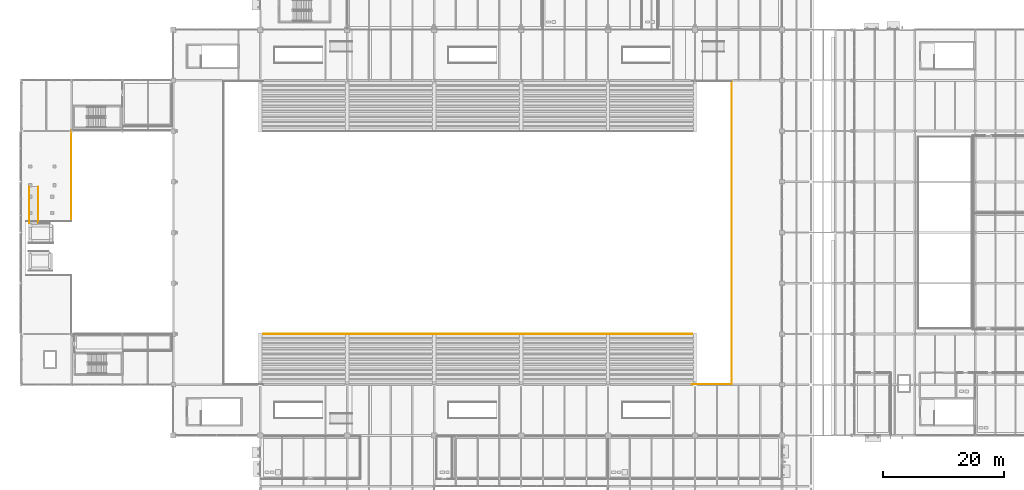
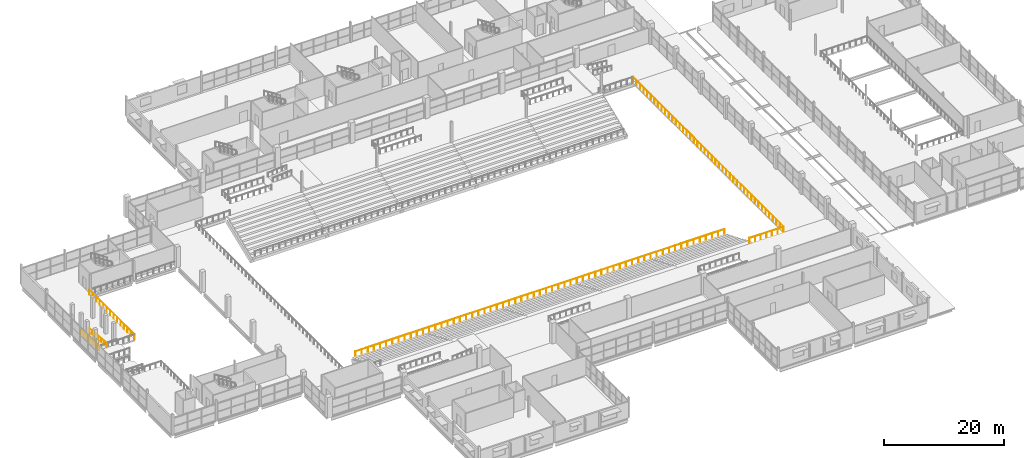
# One storey, part 152 of 161: 6 railings.
"""IFC4 building model written with IfcOpenShell, lengths in metres."""

from ifc_helpers import new_model, si_unit, direction, frame, origin, origin_2d, place, context, subcontext, project, spatial, circle, extrude, material, type_object, element, save


model = new_model("IFC4")

# Units and contexts
model_context = context("Model", 3, precision=1e-05, world=origin(), true_north=direction((0.0, 1.0)))
body_context = subcontext(model_context, "Body", "Model", "MODEL_VIEW")
ifc_project = project(units=[si_unit("LENGTHUNIT", "METRE"), si_unit("AREAUNIT", "SQUARE_METRE"), si_unit("VOLUMEUNIT", "CUBIC_METRE"), si_unit("PLANEANGLEUNIT", "RADIAN"), si_unit("MASSUNIT", "GRAM", prefix="KILO"), si_unit("THERMODYNAMICTEMPERATUREUNIT", "KELVIN")], contexts=[model_context])

# Site, building, storey
site_placement = place(None, origin())
site = spatial("IfcSite", under=ifc_project, at=site_placement, CompositionType="ELEMENT")
building_placement = place(site_placement, origin())
building = spatial("IfcBuilding", under=site, at=building_placement, Name="Nduvali Passage Aquatics Centre", CompositionType="ELEMENT")
storey_placement = place(building_placement, frame((0.0, 0.0, 4.800048828125)))
storey = spatial("IfcBuildingStorey", under=building, at=storey_placement, Name="L01", CompositionType="ELEMENT", Elevation=4.800048828125)

# Railings
ifc_material = material(Name="Stainless steel balustrade", Category="steel")
railing_type_1 = type_object("IfcRailingType", Name="INT-RLG-GRD110", PredefinedType="GUARDRAIL", material=ifc_material)
railing_1_placement = place(storey_placement, frame((40.10009765625, 42.02001953125, -3.239990234375)))
element("IfcRailing", 1, at=railing_1_placement, inside=storey, type_object=railing_type_1, Name="South Stand Front Sightline Balustrade", PredefinedType="GUARDRAIL", context=body_context, shape_type="SweptSolid", body=[
    extrude(circle(Radius=0.02392578125, at=origin_2d()), frame((0.0, 0.0, 1.076171875), z_axis=(1.0, 0.0, 0.0), x_axis=(0.0, 1.0, 0.0)), (0.0, 0.0, 1.0), 71.0),
    extrude(circle(Radius=0.02099609375, at=origin_2d()), origin(), (0.0, 0.0, 1.0), 1.052001953125),
    extrude(circle(Radius=0.02099609375, at=origin_2d()), frame((1.183349609375, 0.0, 0.0)), (0.0, 0.0, 1.0), 1.052001953125),
    extrude(circle(Radius=0.02099609375, at=origin_2d()), frame((2.36669921875, 0.0, 0.0)), (0.0, 0.0, 1.0), 1.052001953125),
    extrude(circle(Radius=0.02099609375, at=origin_2d()), frame((3.550048828125, 0.0, 0.0)), (0.0, 0.0, 1.0), 1.052001953125),
    extrude(circle(Radius=0.02099609375, at=origin_2d()), frame((4.7333984375, 0.0, 0.0)), (0.0, 0.0, 1.0), 1.052001953125),
    extrude(circle(Radius=0.02099609375, at=origin_2d()), frame((5.916748046875, 0.0, 0.0)), (0.0, 0.0, 1.0), 1.052001953125),
    extrude(circle(Radius=0.02099609375, at=origin_2d()), frame((7.10009765625, 0.0, 0.0)), (0.0, 0.0, 1.0), 1.052001953125),
    extrude(circle(Radius=0.02099609375, at=origin_2d()), frame((8.283447265625, 0.0, 0.0)), (0.0, 0.0, 1.0), 1.052001953125),
    extrude(circle(Radius=0.02099609375, at=origin_2d()), frame((9.466552734375, 0.0, 0.0)), (0.0, 0.0, 1.0), 1.052001953125),
    extrude(circle(Radius=0.02099609375, at=origin_2d()), frame((10.64990234375, 0.0, 0.0)), (0.0, 0.0, 1.0), 1.052001953125),
    extrude(circle(Radius=0.02099609375, at=origin_2d()), frame((11.833251953125, 0.0, 0.0)), (0.0, 0.0, 1.0), 1.052001953125),
    extrude(circle(Radius=0.02099609375, at=origin_2d()), frame((13.0166015625, 0.0, 0.0)), (0.0, 0.0, 1.0), 1.052001953125),
    extrude(circle(Radius=0.02099609375, at=origin_2d()), frame((14.199951171875, 0.0, 0.0)), (0.0, 0.0, 1.0), 1.052001953125),
    extrude(circle(Radius=0.02099609375, at=origin_2d()), frame((15.38330078125, 0.0, 0.0)), (0.0, 0.0, 1.0), 1.052001953125),
    extrude(circle(Radius=0.02099609375, at=origin_2d()), frame((16.566650390625, 0.0, 0.0)), (0.0, 0.0, 1.0), 1.052001953125),
    extrude(circle(Radius=0.02099609375, at=origin_2d()), frame((17.75, 0.0, 0.0)), (0.0, 0.0, 1.0), 1.052001953125),
    extrude(circle(Radius=0.02099609375, at=origin_2d()), frame((18.933349609375, 0.0, 0.0)), (0.0, 0.0, 1.0), 1.052001953125),
    extrude(circle(Radius=0.02099609375, at=origin_2d()), frame((20.11669921875, 0.0, 0.0)), (0.0, 0.0, 1.0), 1.052001953125),
    extrude(circle(Radius=0.02099609375, at=origin_2d()), frame((21.300048828125, 0.0, 0.0)), (0.0, 0.0, 1.0), 1.052001953125),
    extrude(circle(Radius=0.02099609375, at=origin_2d()), frame((22.4833984375, 0.0, 0.0)), (0.0, 0.0, 1.0), 1.052001953125),
    extrude(circle(Radius=0.02099609375, at=origin_2d()), frame((23.666748046875, 0.0, 0.0)), (0.0, 0.0, 1.0), 1.052001953125),
    extrude(circle(Radius=0.02099609375, at=origin_2d()), frame((24.85009765625, 0.0, 0.0)), (0.0, 0.0, 1.0), 1.052001953125),
    extrude(circle(Radius=0.02099609375, at=origin_2d()), frame((26.033447265625, 0.0, 0.0)), (0.0, 0.0, 1.0), 1.052001953125),
    extrude(circle(Radius=0.02099609375, at=origin_2d()), frame((27.216552734375, 0.0, 0.0)), (0.0, 0.0, 1.0), 1.052001953125),
    extrude(circle(Radius=0.02099609375, at=origin_2d()), frame((28.39990234375, 0.0, 0.0)), (0.0, 0.0, 1.0), 1.052001953125),
    extrude(circle(Radius=0.02099609375, at=origin_2d()), frame((29.583251953125, 0.0, 0.0)), (0.0, 0.0, 1.0), 1.052001953125),
    extrude(circle(Radius=0.02099609375, at=origin_2d()), frame((30.7666015625, 0.0, 0.0)), (0.0, 0.0, 1.0), 1.052001953125),
    extrude(circle(Radius=0.02099609375, at=origin_2d()), frame((31.949951171875, 0.0, 0.0)), (0.0, 0.0, 1.0), 1.052001953125),
    extrude(circle(Radius=0.02099609375, at=origin_2d()), frame((33.13330078125, 0.0, 0.0)), (0.0, 0.0, 1.0), 1.052001953125),
    extrude(circle(Radius=0.02099609375, at=origin_2d()), frame((34.316650390625, 0.0, 0.0)), (0.0, 0.0, 1.0), 1.052001953125),
    extrude(circle(Radius=0.02099609375, at=origin_2d()), frame((35.5, 0.0, 0.0)), (0.0, 0.0, 1.0), 1.052001953125),
    extrude(circle(Radius=0.02099609375, at=origin_2d()), frame((36.683349609375, 0.0, 0.0)), (0.0, 0.0, 1.0), 1.052001953125),
    extrude(circle(Radius=0.02099609375, at=origin_2d()), frame((37.86669921875, 0.0, 0.0)), (0.0, 0.0, 1.0), 1.052001953125),
    extrude(circle(Radius=0.02099609375, at=origin_2d()), frame((39.050048828125, 0.0, 0.0)), (0.0, 0.0, 1.0), 1.052001953125),
    extrude(circle(Radius=0.02099609375, at=origin_2d()), frame((40.2333984375, 0.0, 0.0)), (0.0, 0.0, 1.0), 1.052001953125),
    extrude(circle(Radius=0.02099609375, at=origin_2d()), frame((41.416748046875, 0.0, 0.0)), (0.0, 0.0, 1.0), 1.052001953125),
    extrude(circle(Radius=0.02099609375, at=origin_2d()), frame((42.60009765625, 0.0, 0.0)), (0.0, 0.0, 1.0), 1.052001953125),
    extrude(circle(Radius=0.02099609375, at=origin_2d()), frame((43.783447265625, 0.0, 0.0)), (0.0, 0.0, 1.0), 1.052001953125),
    extrude(circle(Radius=0.02099609375, at=origin_2d()), frame((44.966552734375, 0.0, 0.0)), (0.0, 0.0, 1.0), 1.052001953125),
    extrude(circle(Radius=0.02099609375, at=origin_2d()), frame((46.14990234375, 0.0, 0.0)), (0.0, 0.0, 1.0), 1.052001953125),
    extrude(circle(Radius=0.02099609375, at=origin_2d()), frame((47.333251953125, 0.0, 0.0)), (0.0, 0.0, 1.0), 1.052001953125),
    extrude(circle(Radius=0.02099609375, at=origin_2d()), frame((48.5166015625, 0.0, 0.0)), (0.0, 0.0, 1.0), 1.052001953125),
    extrude(circle(Radius=0.02099609375, at=origin_2d()), frame((49.699951171875, 0.0, 0.0)), (0.0, 0.0, 1.0), 1.052001953125),
    extrude(circle(Radius=0.02099609375, at=origin_2d()), frame((50.88330078125, 0.0, 0.0)), (0.0, 0.0, 1.0), 1.052001953125),
    extrude(circle(Radius=0.02099609375, at=origin_2d()), frame((52.066650390625, 0.0, 0.0)), (0.0, 0.0, 1.0), 1.052001953125),
    extrude(circle(Radius=0.02099609375, at=origin_2d()), frame((53.25, 0.0, 0.0)), (0.0, 0.0, 1.0), 1.052001953125),
    extrude(circle(Radius=0.02099609375, at=origin_2d()), frame((54.433349609375, 0.0, 0.0)), (0.0, 0.0, 1.0), 1.052001953125),
    extrude(circle(Radius=0.02099609375, at=origin_2d()), frame((55.61669921875, 0.0, 0.0)), (0.0, 0.0, 1.0), 1.052001953125),
    extrude(circle(Radius=0.02099609375, at=origin_2d()), frame((56.800048828125, 0.0, 0.0)), (0.0, 0.0, 1.0), 1.052001953125),
    extrude(circle(Radius=0.02099609375, at=origin_2d()), frame((57.9833984375, 0.0, 0.0)), (0.0, 0.0, 1.0), 1.052001953125),
    extrude(circle(Radius=0.02099609375, at=origin_2d()), frame((59.166748046875, 0.0, 0.0)), (0.0, 0.0, 1.0), 1.052001953125),
    extrude(circle(Radius=0.02099609375, at=origin_2d()), frame((60.35009765625, 0.0, 0.0)), (0.0, 0.0, 1.0), 1.052001953125),
    extrude(circle(Radius=0.02099609375, at=origin_2d()), frame((61.533447265625, 0.0, 0.0)), (0.0, 0.0, 1.0), 1.052001953125),
    extrude(circle(Radius=0.02099609375, at=origin_2d()), frame((62.716552734375, 0.0, 0.0)), (0.0, 0.0, 1.0), 1.052001953125),
    extrude(circle(Radius=0.02099609375, at=origin_2d()), frame((63.89990234375, 0.0, 0.0)), (0.0, 0.0, 1.0), 1.052001953125),
    extrude(circle(Radius=0.02099609375, at=origin_2d()), frame((65.083251953125, 0.0, 0.0)), (0.0, 0.0, 1.0), 1.052001953125),
    extrude(circle(Radius=0.02099609375, at=origin_2d()), frame((66.2666015625, 0.0, 0.0)), (0.0, 0.0, 1.0), 1.052001953125),
    extrude(circle(Radius=0.02099609375, at=origin_2d()), frame((67.449951171875, 0.0, 0.0)), (0.0, 0.0, 1.0), 1.052001953125),
    extrude(circle(Radius=0.02099609375, at=origin_2d()), frame((68.63330078125, 0.0, 0.0)), (0.0, 0.0, 1.0), 1.052001953125),
    extrude(circle(Radius=0.02099609375, at=origin_2d()), frame((69.816650390625, 0.0, 0.0)), (0.0, 0.0, 1.0), 1.052001953125),
    extrude(circle(Radius=0.02099609375, at=origin_2d()), frame((71.0, 0.0, 0.0)), (0.0, 0.0, 1.0), 1.052001953125),
])
railing_2_placement = place(storey_placement, frame((111.10009765625, 33.679931640625, 0.0)))
element("IfcRailing", 2, at=railing_2_placement, inside=storey, type_object=railing_type_1, Name="L01 South Concourse East Void Guard", PredefinedType="GUARDRAIL", context=body_context, shape_type="SweptSolid", body=[
    extrude(circle(Radius=0.02392578125, at=origin_2d()), frame((0.0, 0.0, 1.076171875), z_axis=(1.0, 0.0, 0.0), x_axis=(0.0, 1.0, 0.0)), (0.0, 0.0, 1.0), 6.5),
    extrude(circle(Radius=0.02099609375, at=origin_2d()), origin(), (0.0, 0.0, 1.0), 1.052001953125),
    extrude(circle(Radius=0.02099609375, at=origin_2d()), frame((1.083251953125, 0.0, 0.0)), (0.0, 0.0, 1.0), 1.052001953125),
    extrude(circle(Radius=0.02099609375, at=origin_2d()), frame((2.166748046875, 0.0, 0.0)), (0.0, 0.0, 1.0), 1.052001953125),
    extrude(circle(Radius=0.02099609375, at=origin_2d()), frame((3.25, 0.0, 0.0)), (0.0, 0.0, 1.0), 1.052001953125),
    extrude(circle(Radius=0.02099609375, at=origin_2d()), frame((4.333251953125, 0.0, 0.0)), (0.0, 0.0, 1.0), 1.052001953125),
    extrude(circle(Radius=0.02099609375, at=origin_2d()), frame((5.416748046875, 0.0, 0.0)), (0.0, 0.0, 1.0), 1.052001953125),
    extrude(circle(Radius=0.02099609375, at=origin_2d()), frame((6.5, 0.0, 0.0)), (0.0, 0.0, 1.0), 1.052001953125),
])
railing_3_placement = place(storey_placement, frame((117.679931640625, 33.679931640625, 0.0)))
element("IfcRailing", 3, at=railing_3_placement, inside=storey, type_object=railing_type_1, Name="L01 East Pool Overlook Gallery Balustrade", PredefinedType="GUARDRAIL", context=body_context, shape_type="SweptSolid", body=[
    extrude(circle(Radius=0.02392578125, at=origin_2d()), frame((0.0, 0.0, 1.076171875), z_axis=(0.0, 1.0, 0.0), x_axis=(-1.0, 0.0, 0.0)), (0.0, 0.0, 1.0), 50.239990234375),
    extrude(circle(Radius=0.02099609375, at=origin_2d()), origin(), (0.0, 0.0, 1.0), 1.052001953125),
    extrude(circle(Radius=0.02099609375, at=origin_2d()), frame((0.0, 1.1962890625, 0.0)), (0.0, 0.0, 1.0), 1.052001953125),
    extrude(circle(Radius=0.02099609375, at=origin_2d()), frame((0.0, 2.392333984375, 0.0)), (0.0, 0.0, 1.0), 1.052001953125),
    extrude(circle(Radius=0.02099609375, at=origin_2d()), frame((0.0, 3.588623046875, 0.0)), (0.0, 0.0, 1.0), 1.052001953125),
    extrude(circle(Radius=0.02099609375, at=origin_2d()), frame((0.0, 4.78466796875, 0.0)), (0.0, 0.0, 1.0), 1.052001953125),
    extrude(circle(Radius=0.02099609375, at=origin_2d()), frame((0.0, 5.98095703125, 0.0)), (0.0, 0.0, 1.0), 1.052001953125),
    extrude(circle(Radius=0.02099609375, at=origin_2d()), frame((0.0, 7.17724609375, 0.0)), (0.0, 0.0, 1.0), 1.052001953125),
    extrude(circle(Radius=0.02099609375, at=origin_2d()), frame((0.0, 8.373291015625, 0.0)), (0.0, 0.0, 1.0), 1.052001953125),
    extrude(circle(Radius=0.02099609375, at=origin_2d()), frame((0.0, 9.569580078125, 0.0)), (0.0, 0.0, 1.0), 1.052001953125),
    extrude(circle(Radius=0.02099609375, at=origin_2d()), frame((0.0, 10.765625, 0.0)), (0.0, 0.0, 1.0), 1.052001953125),
    extrude(circle(Radius=0.02099609375, at=origin_2d()), frame((0.0, 11.9619140625, 0.0)), (0.0, 0.0, 1.0), 1.052001953125),
    extrude(circle(Radius=0.02099609375, at=origin_2d()), frame((0.0, 13.158203125, 0.0)), (0.0, 0.0, 1.0), 1.052001953125),
    extrude(circle(Radius=0.02099609375, at=origin_2d()), frame((0.0, 14.354248046875, 0.0)), (0.0, 0.0, 1.0), 1.052001953125),
    extrude(circle(Radius=0.02099609375, at=origin_2d()), frame((0.0, 15.550537109375, 0.0)), (0.0, 0.0, 1.0), 1.052001953125),
    extrude(circle(Radius=0.02099609375, at=origin_2d()), frame((0.0, 16.74658203125, 0.0)), (0.0, 0.0, 1.0), 1.052001953125),
    extrude(circle(Radius=0.02099609375, at=origin_2d()), frame((0.0, 17.94287109375, 0.0)), (0.0, 0.0, 1.0), 1.052001953125),
    extrude(circle(Radius=0.02099609375, at=origin_2d()), frame((0.0, 19.13916015625, 0.0)), (0.0, 0.0, 1.0), 1.052001953125),
    extrude(circle(Radius=0.02099609375, at=origin_2d()), frame((0.0, 20.335205078125, 0.0)), (0.0, 0.0, 1.0), 1.052001953125),
    extrude(circle(Radius=0.02099609375, at=origin_2d()), frame((0.0, 21.531494140625, 0.0)), (0.0, 0.0, 1.0), 1.052001953125),
    extrude(circle(Radius=0.02099609375, at=origin_2d()), frame((0.0, 22.7275390625, 0.0)), (0.0, 0.0, 1.0), 1.052001953125),
    extrude(circle(Radius=0.02099609375, at=origin_2d()), frame((0.0, 23.923828125, 0.0)), (0.0, 0.0, 1.0), 1.052001953125),
    extrude(circle(Radius=0.02099609375, at=origin_2d()), frame((0.0, 25.1201171875, 0.0)), (0.0, 0.0, 1.0), 1.052001953125),
    extrude(circle(Radius=0.02099609375, at=origin_2d()), frame((0.0, 26.316162109375, 0.0)), (0.0, 0.0, 1.0), 1.052001953125),
    extrude(circle(Radius=0.02099609375, at=origin_2d()), frame((0.0, 27.512451171875, 0.0)), (0.0, 0.0, 1.0), 1.052001953125),
    extrude(circle(Radius=0.02099609375, at=origin_2d()), frame((0.0, 28.70849609375, 0.0)), (0.0, 0.0, 1.0), 1.052001953125),
    extrude(circle(Radius=0.02099609375, at=origin_2d()), frame((0.0, 29.90478515625, 0.0)), (0.0, 0.0, 1.0), 1.052001953125),
    extrude(circle(Radius=0.02099609375, at=origin_2d()), frame((0.0, 31.100830078125, 0.0)), (0.0, 0.0, 1.0), 1.052001953125),
    extrude(circle(Radius=0.02099609375, at=origin_2d()), frame((0.0, 32.297119140625, 0.0)), (0.0, 0.0, 1.0), 1.052001953125),
    extrude(circle(Radius=0.02099609375, at=origin_2d()), frame((0.0, 33.493408203125, 0.0)), (0.0, 0.0, 1.0), 1.052001953125),
    extrude(circle(Radius=0.02099609375, at=origin_2d()), frame((0.0, 34.689453125, 0.0)), (0.0, 0.0, 1.0), 1.052001953125),
    extrude(circle(Radius=0.02099609375, at=origin_2d()), frame((0.0, 35.8857421875, 0.0)), (0.0, 0.0, 1.0), 1.052001953125),
    extrude(circle(Radius=0.02099609375, at=origin_2d()), frame((0.0, 37.081787109375, 0.0)), (0.0, 0.0, 1.0), 1.052001953125),
    extrude(circle(Radius=0.02099609375, at=origin_2d()), frame((0.0, 38.278076171875, 0.0)), (0.0, 0.0, 1.0), 1.052001953125),
    extrude(circle(Radius=0.02099609375, at=origin_2d()), frame((0.0, 39.474365234375, 0.0)), (0.0, 0.0, 1.0), 1.052001953125),
    extrude(circle(Radius=0.02099609375, at=origin_2d()), frame((0.0, 40.67041015625, 0.0)), (0.0, 0.0, 1.0), 1.052001953125),
    extrude(circle(Radius=0.02099609375, at=origin_2d()), frame((0.0, 41.86669921875, 0.0)), (0.0, 0.0, 1.0), 1.052001953125),
    extrude(circle(Radius=0.02099609375, at=origin_2d()), frame((0.0, 43.062744140625, 0.0)), (0.0, 0.0, 1.0), 1.052001953125),
    extrude(circle(Radius=0.02099609375, at=origin_2d()), frame((0.0, 44.259033203125, 0.0)), (0.0, 0.0, 1.0), 1.052001953125),
    extrude(circle(Radius=0.02099609375, at=origin_2d()), frame((0.0, 45.455322265625, 0.0)), (0.0, 0.0, 1.0), 1.052001953125),
    extrude(circle(Radius=0.02099609375, at=origin_2d()), frame((0.0, 46.6513671875, 0.0)), (0.0, 0.0, 1.0), 1.052001953125),
    extrude(circle(Radius=0.02099609375, at=origin_2d()), frame((0.0, 47.84765625, 0.0)), (0.0, 0.0, 1.0), 1.052001953125),
    extrude(circle(Radius=0.02099609375, at=origin_2d()), frame((0.0, 49.043701171875, 0.0)), (0.0, 0.0, 1.0), 1.052001953125),
    extrude(circle(Radius=0.02099609375, at=origin_2d()), frame((0.0, 50.239990234375, 0.0)), (0.0, 0.0, 1.0), 1.052001953125),
])
railing_4_placement = place(storey_placement, frame((8.320068359375, 60.679931640625, 0.0)))
element("IfcRailing", 4, at=railing_4_placement, inside=storey, type_object=railing_type_1, Name="L01 Diving West Mezzanine North Balustrade", PredefinedType="GUARDRAIL", context=body_context, shape_type="SweptSolid", body=[
    extrude(circle(Radius=0.02392578125, at=origin_2d()), frame((0.0, 0.0, 1.076171875), z_axis=(0.0, 1.0, 0.0), x_axis=(-1.0, 0.0, 0.0)), (0.0, 0.0, 1.0), 15.0),
    extrude(circle(Radius=0.02099609375, at=origin_2d()), origin(), (0.0, 0.0, 1.0), 1.052001953125),
    extrude(circle(Radius=0.02099609375, at=origin_2d()), frame((0.0, 1.15380859375, 0.0)), (0.0, 0.0, 1.0), 1.052001953125),
    extrude(circle(Radius=0.02099609375, at=origin_2d()), frame((0.0, 2.3076171875, 0.0)), (0.0, 0.0, 1.0), 1.052001953125),
    extrude(circle(Radius=0.02099609375, at=origin_2d()), frame((0.0, 3.46142578125, 0.0)), (0.0, 0.0, 1.0), 1.052001953125),
    extrude(circle(Radius=0.02099609375, at=origin_2d()), frame((0.0, 4.615478515625, 0.0)), (0.0, 0.0, 1.0), 1.052001953125),
    extrude(circle(Radius=0.02099609375, at=origin_2d()), frame((0.0, 5.769287109375, 0.0)), (0.0, 0.0, 1.0), 1.052001953125),
    extrude(circle(Radius=0.02099609375, at=origin_2d()), frame((0.0, 6.923095703125, 0.0)), (0.0, 0.0, 1.0), 1.052001953125),
    extrude(circle(Radius=0.02099609375, at=origin_2d()), frame((0.0, 8.076904296875, 0.0)), (0.0, 0.0, 1.0), 1.052001953125),
    extrude(circle(Radius=0.02099609375, at=origin_2d()), frame((0.0, 9.230712890625, 0.0)), (0.0, 0.0, 1.0), 1.052001953125),
    extrude(circle(Radius=0.02099609375, at=origin_2d()), frame((0.0, 10.384521484375, 0.0)), (0.0, 0.0, 1.0), 1.052001953125),
    extrude(circle(Radius=0.02099609375, at=origin_2d()), frame((0.0, 11.53857421875, 0.0)), (0.0, 0.0, 1.0), 1.052001953125),
    extrude(circle(Radius=0.02099609375, at=origin_2d()), frame((0.0, 12.6923828125, 0.0)), (0.0, 0.0, 1.0), 1.052001953125),
    extrude(circle(Radius=0.02099609375, at=origin_2d()), frame((0.0, 13.84619140625, 0.0)), (0.0, 0.0, 1.0), 1.052001953125),
    extrude(circle(Radius=0.02099609375, at=origin_2d()), frame((0.0, 15.0, 0.0)), (0.0, 0.0, 1.0), 1.052001953125),
])
railing_type_2 = type_object("IfcRailingType", Name="INT-RLG-HND90", PredefinedType="HANDRAIL", material=ifc_material)
for number, where, name in (
    (5, (1.35009765625, 66.39990234375, 0.0), "Diving 5m Platform Plinth Accessible Ramp PR7 Handrail 1"),
    (6, (2.85009765625, 66.39990234375, 0.0), "Diving 5m Platform Plinth Accessible Ramp PR7 Handrail 2"),
):
    element("IfcRailing", number, at=place(storey_placement, frame(where)), inside=storey, type_object=railing_type_2, Name=name, PredefinedType="HANDRAIL", context=body_context, shape_type="SweptSolid", body=[
        extrude(circle(Radius=0.02392578125, at=origin_2d()), frame((0.0, 0.0, 0.89599609375), z_axis=(0.0, -0.996545758245, 0.083045479854), x_axis=(1.0, 0.0, 0.0)), (0.0, 0.0, 1.0), 6.020751953125),
        extrude(circle(Radius=0.02099609375, at=origin_2d()), origin(), (0.0, 0.0, 1.0), 0.871826171875),
        extrude(circle(Radius=0.02099609375, at=origin_2d()), frame((0.0, -1.0, 0.083251953125)), (0.0, 0.0, 1.0), 0.871826171875),
        extrude(circle(Radius=0.02099609375, at=origin_2d()), frame((0.0, -2.0, 0.166748046875)), (0.0, 0.0, 1.0), 0.871826171875),
        extrude(circle(Radius=0.02099609375, at=origin_2d()), frame((0.0, -3.0, 0.25)), (0.0, 0.0, 1.0), 0.871826171875),
        extrude(circle(Radius=0.02099609375, at=origin_2d()), frame((0.0, -4.0, 0.333251953125)), (0.0, 0.0, 1.0), 0.871826171875),
        extrude(circle(Radius=0.02099609375, at=origin_2d()), frame((0.0, -5.0, 0.416748046875)), (0.0, 0.0, 1.0), 0.871826171875),
        extrude(circle(Radius=0.02099609375, at=origin_2d()), frame((0.0, -6.0, 0.5)), (0.0, 0.0, 1.0), 0.871826171875),
    ])

save(model, "model.ifc")
